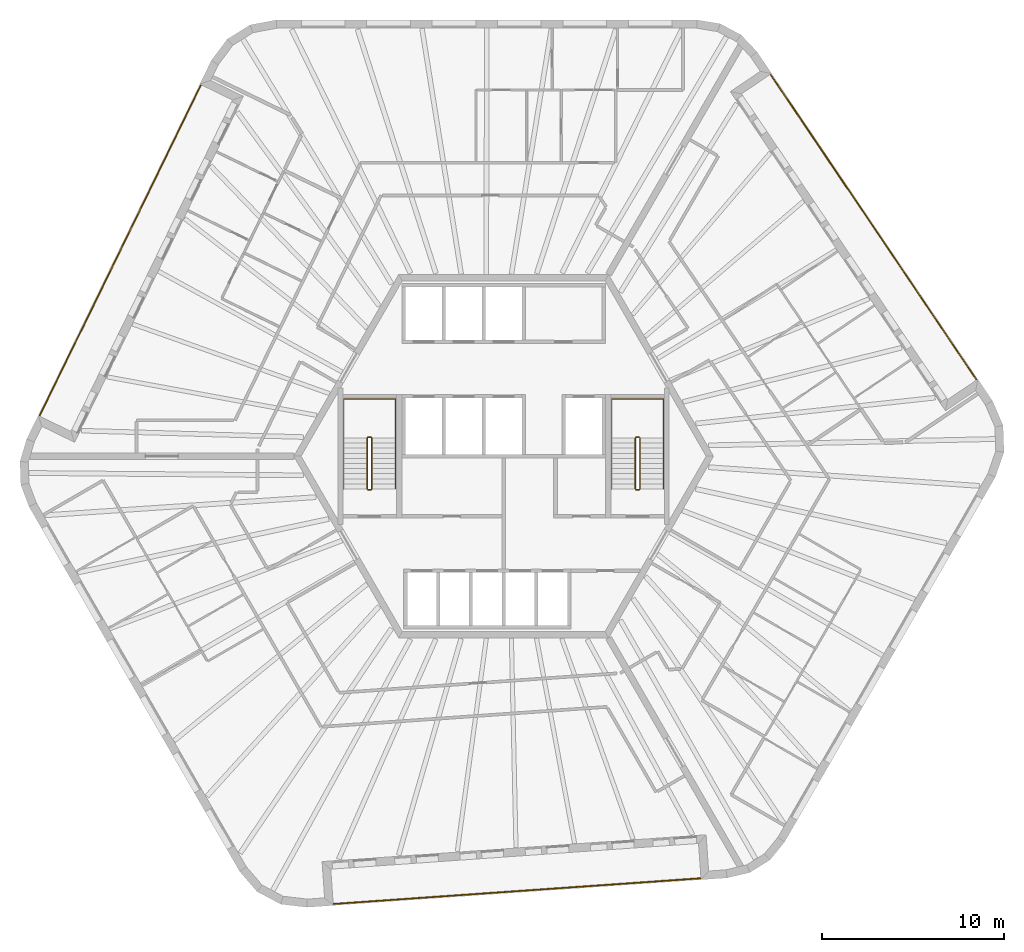
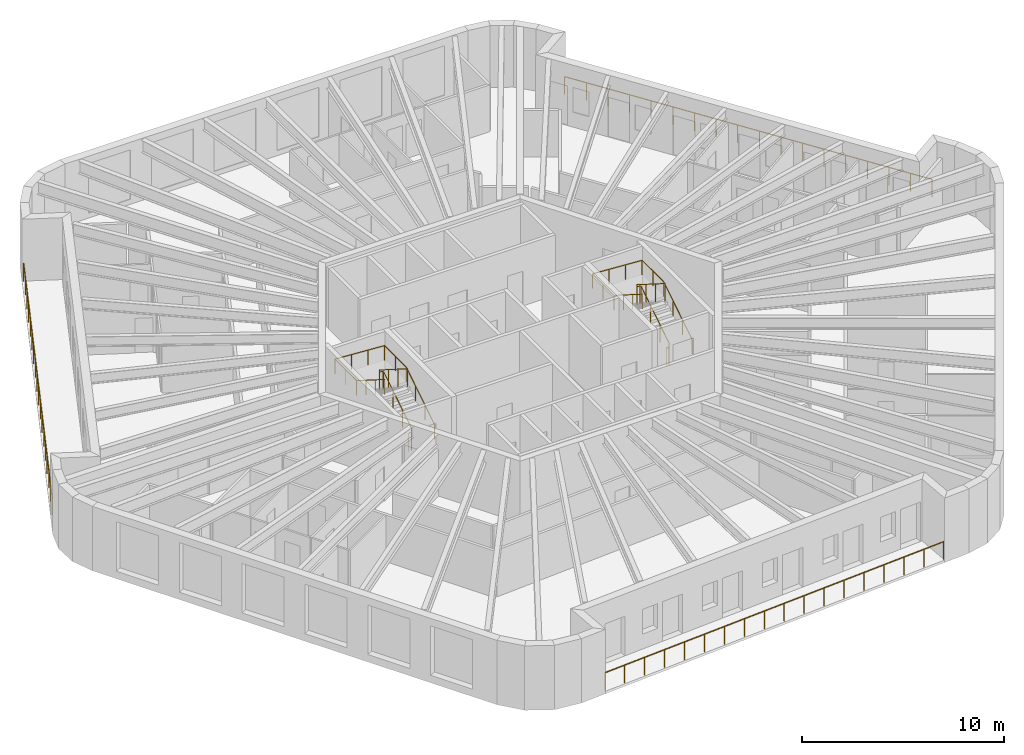
# One storey, part 11 of 11: 7 railings.
"""IFC4 building model written with IfcOpenShell, lengths in metres."""

from ifc_helpers import new_model, si_unit, direction, frame, origin, origin_2d, place, context, subcontext, project, spatial, circle, extrude, material, type_object, element, save


model = new_model("IFC4")

# Units and contexts
model_context = context("Model", 3, precision=1e-05, world=origin(), true_north=direction((0.0, 1.0)))
body_context = subcontext(model_context, "Body", "Model", "MODEL_VIEW")
ifc_project = project(units=[si_unit("LENGTHUNIT", "METRE"), si_unit("AREAUNIT", "SQUARE_METRE"), si_unit("VOLUMEUNIT", "CUBIC_METRE"), si_unit("PLANEANGLEUNIT", "RADIAN"), si_unit("MASSUNIT", "GRAM", prefix="KILO")], contexts=[model_context])

# Site, building, storey
site_placement = place(None, origin())
site = spatial("IfcSite", under=ifc_project, at=site_placement, CompositionType="ELEMENT")
building_placement = place(site_placement, origin())
building = spatial("IfcBuilding", under=site, at=building_placement, Name="Tarnside Tower", CompositionType="ELEMENT")
storey_placement = place(building_placement, frame((0.0, 0.0, 357.300048828125)))
storey = spatial("IfcBuildingStorey", under=building, at=storey_placement, Name="L86", CompositionType="ELEMENT", Elevation=357.300048828125)

# Railings
ifc_material_1 = material(Name="Toughened glass", Category="glass")
railing_type_1 = type_object("IfcRailingType", Name="Glass guard 1100", PredefinedType="GUARDRAIL", material=ifc_material_1)
railing_1_placement = place(storey_placement, frame((-16.645263671875, 20.437744140625, 0.0)))
element("IfcRailing", 1, at=railing_1_placement, inside=storey, type_object=railing_type_1, Name="Loggia guard L86 F2", PredefinedType="GUARDRAIL", context=body_context, shape_type="SweptSolid", body=[
    extrude(circle(Radius=0.030029296875, at=origin_2d()), frame((0.0, 0.0, 1.070068359375), z_axis=(-0.438370743641, -0.898794242928, 0.0), x_axis=(0.898794242928, -0.438370743641, 0.0)), (0.0, 0.0, 1.0), 20.28173828125),
    extrude(circle(Radius=0.02490234375, at=origin_2d()), origin(), (0.0, 0.0, 1.0), 1.0400390625),
    extrude(circle(Radius=0.02490234375, at=origin_2d()), frame((-0.52294921875, -1.072265625, 0.0)), (0.0, 0.0, 1.0), 1.0400390625),
    extrude(circle(Radius=0.02490234375, at=origin_2d()), frame((-1.0458984375, -2.14453125, 0.0)), (0.0, 0.0, 1.0), 1.0400390625),
    extrude(circle(Radius=0.02490234375, at=origin_2d()), frame((-1.569091796875, -3.216796875, 0.0)), (0.0, 0.0, 1.0), 1.0400390625),
    extrude(circle(Radius=0.02490234375, at=origin_2d()), frame((-2.092041015625, -4.2890625, 0.0)), (0.0, 0.0, 1.0), 1.0400390625),
    extrude(circle(Radius=0.02490234375, at=origin_2d()), frame((-2.614990234375, -5.361572265625, 0.0)), (0.0, 0.0, 1.0), 1.0400390625),
    extrude(circle(Radius=0.02490234375, at=origin_2d()), frame((-3.137939453125, -6.433837890625, 0.0)), (0.0, 0.0, 1.0), 1.0400390625),
    extrude(circle(Radius=0.02490234375, at=origin_2d()), frame((-3.660888671875, -7.506103515625, 0.0)), (0.0, 0.0, 1.0), 1.0400390625),
    extrude(circle(Radius=0.02490234375, at=origin_2d()), frame((-4.183837890625, -8.578369140625, 0.0)), (0.0, 0.0, 1.0), 1.0400390625),
    extrude(circle(Radius=0.02490234375, at=origin_2d()), frame((-4.70703125, -9.650634765625, 0.0)), (0.0, 0.0, 1.0), 1.0400390625),
    extrude(circle(Radius=0.02490234375, at=origin_2d()), frame((-5.22998046875, -10.722900390625, 0.0)), (0.0, 0.0, 1.0), 1.0400390625),
    extrude(circle(Radius=0.02490234375, at=origin_2d()), frame((-5.7529296875, -11.795166015625, 0.0)), (0.0, 0.0, 1.0), 1.0400390625),
    extrude(circle(Radius=0.02490234375, at=origin_2d()), frame((-6.27587890625, -12.867431640625, 0.0)), (0.0, 0.0, 1.0), 1.0400390625),
    extrude(circle(Radius=0.02490234375, at=origin_2d()), frame((-6.798828125, -13.93994140625, 0.0)), (0.0, 0.0, 1.0), 1.0400390625),
    extrude(circle(Radius=0.02490234375, at=origin_2d()), frame((-7.32177734375, -15.01220703125, 0.0)), (0.0, 0.0, 1.0), 1.0400390625),
    extrude(circle(Radius=0.02490234375, at=origin_2d()), frame((-7.844970703125, -16.08447265625, 0.0)), (0.0, 0.0, 1.0), 1.0400390625),
    extrude(circle(Radius=0.02490234375, at=origin_2d()), frame((-8.367919921875, -17.15673828125, 0.0)), (0.0, 0.0, 1.0), 1.0400390625),
    extrude(circle(Radius=0.02490234375, at=origin_2d()), frame((-8.890869140625, -18.22900390625, 0.0)), (0.0, 0.0, 1.0), 1.0400390625),
])
railing_2_placement = place(storey_placement, frame((-9.376953125, -24.634033203125, 0.0)))
element("IfcRailing", 2, at=railing_2_placement, inside=storey, type_object=railing_type_1, Name="Loggia guard L86 F4", PredefinedType="GUARDRAIL", context=body_context, shape_type="SweptSolid", body=[
    extrude(circle(Radius=0.030029296875, at=origin_2d()), frame((0.0, 0.0, 1.070068359375), z_axis=(0.997563970542, 0.069757613753, 0.0), x_axis=(-0.069757613753, 0.997563970542, 0.0)), (0.0, 0.0, 1.0), 20.281494140625),
    extrude(circle(Radius=0.02490234375, at=origin_2d()), origin(), (0.0, 0.0, 1.0), 1.0400390625),
    extrude(circle(Radius=0.02490234375, at=origin_2d()), frame((1.190185546875, 0.083251953125, 0.0)), (0.0, 0.0, 1.0), 1.0400390625),
    extrude(circle(Radius=0.02490234375, at=origin_2d()), frame((2.38037109375, 0.16650390625, 0.0)), (0.0, 0.0, 1.0), 1.0400390625),
    extrude(circle(Radius=0.02490234375, at=origin_2d()), frame((3.5703125, 0.249755859375, 0.0)), (0.0, 0.0, 1.0), 1.0400390625),
    extrude(circle(Radius=0.02490234375, at=origin_2d()), frame((4.760498046875, 0.3330078125, 0.0)), (0.0, 0.0, 1.0), 1.0400390625),
    extrude(circle(Radius=0.02490234375, at=origin_2d()), frame((5.95068359375, 0.416015625, 0.0)), (0.0, 0.0, 1.0), 1.0400390625),
    extrude(circle(Radius=0.02490234375, at=origin_2d()), frame((7.140869140625, 0.499267578125, 0.0)), (0.0, 0.0, 1.0), 1.0400390625),
    extrude(circle(Radius=0.02490234375, at=origin_2d()), frame((8.330810546875, 0.58251953125, 0.0)), (0.0, 0.0, 1.0), 1.0400390625),
    extrude(circle(Radius=0.02490234375, at=origin_2d()), frame((9.52099609375, 0.665771484375, 0.0)), (0.0, 0.0, 1.0), 1.0400390625),
    extrude(circle(Radius=0.02490234375, at=origin_2d()), frame((10.711181640625, 0.7490234375, 0.0)), (0.0, 0.0, 1.0), 1.0400390625),
    extrude(circle(Radius=0.02490234375, at=origin_2d()), frame((11.9013671875, 0.832275390625, 0.0)), (0.0, 0.0, 1.0), 1.0400390625),
    extrude(circle(Radius=0.02490234375, at=origin_2d()), frame((13.09130859375, 0.91552734375, 0.0)), (0.0, 0.0, 1.0), 1.0400390625),
    extrude(circle(Radius=0.02490234375, at=origin_2d()), frame((14.281494140625, 0.998779296875, 0.0)), (0.0, 0.0, 1.0), 1.0400390625),
    extrude(circle(Radius=0.02490234375, at=origin_2d()), frame((15.4716796875, 1.081787109375, 0.0)), (0.0, 0.0, 1.0), 1.0400390625),
    extrude(circle(Radius=0.02490234375, at=origin_2d()), frame((16.661865234375, 1.1650390625, 0.0)), (0.0, 0.0, 1.0), 1.0400390625),
    extrude(circle(Radius=0.02490234375, at=origin_2d()), frame((17.851806640625, 1.248291015625, 0.0)), (0.0, 0.0, 1.0), 1.0400390625),
    extrude(circle(Radius=0.02490234375, at=origin_2d()), frame((19.0419921875, 1.33154296875, 0.0)), (0.0, 0.0, 1.0), 1.0400390625),
    extrude(circle(Radius=0.02490234375, at=origin_2d()), frame((20.232177734375, 1.414794921875, 0.0)), (0.0, 0.0, 1.0), 1.0400390625),
])
railing_3_placement = place(storey_placement, frame((26.022216796875, 4.196533203125, 0.0)))
element("IfcRailing", 3, at=railing_3_placement, inside=storey, type_object=railing_type_1, Name="Loggia guard L86 F6", PredefinedType="GUARDRAIL", context=body_context, shape_type="SweptSolid", body=[
    extrude(circle(Radius=0.030029296875, at=origin_2d()), frame((0.0, 0.0, 1.070068359375), z_axis=(-0.559192274164, 0.829037997028, 0.0), x_axis=(-0.829037997028, -0.559192274164, 0.0)), (0.0, 0.0, 1.0), 20.281494140625),
    extrude(circle(Radius=0.02490234375, at=origin_2d()), origin(), (0.0, 0.0, 1.0), 1.0400390625),
    extrude(circle(Radius=0.02490234375, at=origin_2d()), frame((-0.667236328125, 0.989013671875, 0.0)), (0.0, 0.0, 1.0), 1.0400390625),
    extrude(circle(Radius=0.02490234375, at=origin_2d()), frame((-1.334228515625, 1.97802734375, 0.0)), (0.0, 0.0, 1.0), 1.0400390625),
    extrude(circle(Radius=0.02490234375, at=origin_2d()), frame((-2.00146484375, 2.96728515625, 0.0)), (0.0, 0.0, 1.0), 1.0400390625),
    extrude(circle(Radius=0.02490234375, at=origin_2d()), frame((-2.66845703125, 3.956298828125, 0.0)), (0.0, 0.0, 1.0), 1.0400390625),
    extrude(circle(Radius=0.02490234375, at=origin_2d()), frame((-3.335693359375, 4.9453125, 0.0)), (0.0, 0.0, 1.0), 1.0400390625),
    extrude(circle(Radius=0.02490234375, at=origin_2d()), frame((-4.0029296875, 5.934326171875, 0.0)), (0.0, 0.0, 1.0), 1.0400390625),
    extrude(circle(Radius=0.02490234375, at=origin_2d()), frame((-4.669921875, 6.923583984375, 0.0)), (0.0, 0.0, 1.0), 1.0400390625),
    extrude(circle(Radius=0.02490234375, at=origin_2d()), frame((-5.337158203125, 7.91259765625, 0.0)), (0.0, 0.0, 1.0), 1.0400390625),
    extrude(circle(Radius=0.02490234375, at=origin_2d()), frame((-6.004150390625, 8.901611328125, 0.0)), (0.0, 0.0, 1.0), 1.0400390625),
    extrude(circle(Radius=0.02490234375, at=origin_2d()), frame((-6.67138671875, 9.890625, 0.0)), (0.0, 0.0, 1.0), 1.0400390625),
    extrude(circle(Radius=0.02490234375, at=origin_2d()), frame((-7.33837890625, 10.8798828125, 0.0)), (0.0, 0.0, 1.0), 1.0400390625),
    extrude(circle(Radius=0.02490234375, at=origin_2d()), frame((-8.005615234375, 11.868896484375, 0.0)), (0.0, 0.0, 1.0), 1.0400390625),
    extrude(circle(Radius=0.02490234375, at=origin_2d()), frame((-8.6728515625, 12.85791015625, 0.0)), (0.0, 0.0, 1.0), 1.0400390625),
    extrude(circle(Radius=0.02490234375, at=origin_2d()), frame((-9.33984375, 13.846923828125, 0.0)), (0.0, 0.0, 1.0), 1.0400390625),
    extrude(circle(Radius=0.02490234375, at=origin_2d()), frame((-10.007080078125, 14.836181640625, 0.0)), (0.0, 0.0, 1.0), 1.0400390625),
    extrude(circle(Radius=0.02490234375, at=origin_2d()), frame((-10.674072265625, 15.8251953125, 0.0)), (0.0, 0.0, 1.0), 1.0400390625),
    extrude(circle(Radius=0.02490234375, at=origin_2d()), frame((-11.34130859375, 16.814208984375, 0.0)), (0.0, 0.0, 1.0), 1.0400390625),
])
ifc_material_2 = material(Name="Stainless steel", Category="steel")
railing_type_2 = type_object("IfcRailingType", Name="Stair guard 1100", PredefinedType="GUARDRAIL", material=ifc_material_2)
railing_4_placement = place(storey_placement, frame((7.300048828125, -1.85009765625, 0.0)))
element("IfcRailing", 4, at=railing_4_placement, inside=storey, type_object=railing_type_2, Name="L86 ST1 stair guard 1", PredefinedType="GUARDRAIL", context=body_context, shape_type="SweptSolid", body=[
    extrude(circle(Radius=0.02392578125, at=origin_2d()), frame((0.0, 0.0, 1.076171875), z_axis=(1.0, 0.0, 0.0), x_axis=(0.0, 1.0, 0.0)), (0.0, 0.0, 1.0), 0.14990234375),
    extrude(circle(Radius=0.02392578125, at=origin_2d()), frame((0.14990234375, 0.0, 1.076171875), z_axis=(0.262233686654, 0.262233686654, 0.928691007369), x_axis=(-0.707106781187, 0.707106781187, 0.0)), (0.0, 0.0, 1.0), 0.19091796875),
    extrude(circle(Radius=0.02392578125, at=origin_2d()), frame((0.199951171875, 0.050048828125, 1.25341796875), z_axis=(0.0, 0.844908973607, 0.534910110503), x_axis=(-1.0, 0.0, 0.0)), (0.0, 0.0, 1.0), 3.31396484375),
    extrude(circle(Radius=0.02392578125, at=origin_2d()), frame((0.199951171875, 2.85009765625, 3.02587890625), z_axis=(-0.707106781187, 0.707106781187, 0.0), x_axis=(-0.707106781187, -0.707106781187, 0.0)), (0.0, 0.0, 1.0), 0.07080078125),
    extrude(circle(Radius=0.02392578125, at=origin_2d()), frame((0.14990234375, 2.900146484375, 3.02587890625), z_axis=(-1.0, 0.0, 0.0), x_axis=(0.0, -1.0, 0.0)), (0.0, 0.0, 1.0), 0.14990234375),
    extrude(circle(Radius=0.02392578125, at=origin_2d()), frame((0.0, 2.900146484375, 3.02587890625), z_axis=(-0.262233686654, -0.262233686654, 0.928691007369), x_axis=(0.707106781187, -0.707106781187, 0.0)), (0.0, 0.0, 1.0), 0.19091796875),
    extrude(circle(Radius=0.02392578125, at=origin_2d()), frame((-0.050048828125, 2.85009765625, 3.203125), z_axis=(0.0, -0.844908973607, 0.534910110503), x_axis=(1.0, 0.0, 0.0)), (0.0, 0.0, 1.0), 3.31396484375),
    extrude(circle(Radius=0.02099609375, at=origin_2d()), origin(), (0.0, 0.0, 1.0), 1.052001953125),
    extrude(circle(Radius=0.02099609375, at=origin_2d()), frame((0.14990234375, 0.0, 0.0)), (0.0, 0.0, 1.0), 1.052001953125),
    extrude(circle(Radius=0.02099609375, at=origin_2d()), frame((0.199951171875, 0.050048828125, 0.17724609375)), (0.0, 0.0, 1.0), 1.052001953125),
    extrude(circle(Radius=0.02099609375, at=origin_2d()), frame((0.199951171875, 0.9833984375, 0.76806640625)), (0.0, 0.0, 1.0), 1.052001953125),
    extrude(circle(Radius=0.02099609375, at=origin_2d()), frame((0.199951171875, 1.916748046875, 1.359130859375)), (0.0, 0.0, 1.0), 1.052001953125),
    extrude(circle(Radius=0.02099609375, at=origin_2d()), frame((0.199951171875, 2.85009765625, 1.949951171875)), (0.0, 0.0, 1.0), 1.052001953125),
    extrude(circle(Radius=0.02099609375, at=origin_2d()), frame((0.14990234375, 2.900146484375, 1.949951171875)), (0.0, 0.0, 1.0), 1.052001953125),
    extrude(circle(Radius=0.02099609375, at=origin_2d()), frame((0.0, 2.900146484375, 1.949951171875)), (0.0, 0.0, 1.0), 1.052001953125),
    extrude(circle(Radius=0.02099609375, at=origin_2d()), frame((-0.050048828125, 2.85009765625, 2.127197265625)), (0.0, 0.0, 1.0), 1.052001953125),
    extrude(circle(Radius=0.02099609375, at=origin_2d()), frame((-0.050048828125, 1.916748046875, 2.718017578125)), (0.0, 0.0, 1.0), 1.052001953125),
    extrude(circle(Radius=0.02099609375, at=origin_2d()), frame((-0.050048828125, 0.9833984375, 3.30908203125)), (0.0, 0.0, 1.0), 1.052001953125),
    extrude(circle(Radius=0.02099609375, at=origin_2d()), frame((-0.050048828125, 0.050048828125, 3.89990234375)), (0.0, 0.0, 1.0), 1.052001953125),
])
railing_5_placement = place(storey_placement, frame((-7.449951171875, -1.85009765625, 0.0)))
element("IfcRailing", 5, at=railing_5_placement, inside=storey, type_object=railing_type_2, Name="L86 ST2 stair guard 1", PredefinedType="GUARDRAIL", context=body_context, shape_type="SweptSolid", body=[
    extrude(circle(Radius=0.02392578125, at=origin_2d()), frame((0.0, 0.0, 1.076171875), z_axis=(1.0, 0.0, 0.0), x_axis=(0.0, 1.0, 0.0)), (0.0, 0.0, 1.0), 0.14990234375),
    extrude(circle(Radius=0.02392578125, at=origin_2d()), frame((0.14990234375, 0.0, 1.076171875), z_axis=(0.262233686654, 0.262233686654, 0.928691007369), x_axis=(-0.707106781187, 0.707106781187, 0.0)), (0.0, 0.0, 1.0), 0.19091796875),
    extrude(circle(Radius=0.02392578125, at=origin_2d()), frame((0.199951171875, 0.050048828125, 1.25341796875), z_axis=(0.0, 0.844908973607, 0.534910110503), x_axis=(-1.0, 0.0, 0.0)), (0.0, 0.0, 1.0), 3.31396484375),
    extrude(circle(Radius=0.02392578125, at=origin_2d()), frame((0.199951171875, 2.85009765625, 3.02587890625), z_axis=(-0.707106781187, 0.707106781187, 0.0), x_axis=(-0.707106781187, -0.707106781187, 0.0)), (0.0, 0.0, 1.0), 0.07080078125),
    extrude(circle(Radius=0.02392578125, at=origin_2d()), frame((0.14990234375, 2.900146484375, 3.02587890625), z_axis=(-1.0, 0.0, 0.0), x_axis=(0.0, -1.0, 0.0)), (0.0, 0.0, 1.0), 0.14990234375),
    extrude(circle(Radius=0.02392578125, at=origin_2d()), frame((0.0, 2.900146484375, 3.02587890625), z_axis=(-0.262233686654, -0.262233686654, 0.928691007369), x_axis=(0.707106781187, -0.707106781187, 0.0)), (0.0, 0.0, 1.0), 0.19091796875),
    extrude(circle(Radius=0.02392578125, at=origin_2d()), frame((-0.050048828125, 2.85009765625, 3.203125), z_axis=(0.0, -0.844908973607, 0.534910110503), x_axis=(1.0, 0.0, 0.0)), (0.0, 0.0, 1.0), 3.31396484375),
    extrude(circle(Radius=0.02099609375, at=origin_2d()), origin(), (0.0, 0.0, 1.0), 1.052001953125),
    extrude(circle(Radius=0.02099609375, at=origin_2d()), frame((0.14990234375, 0.0, 0.0)), (0.0, 0.0, 1.0), 1.052001953125),
    extrude(circle(Radius=0.02099609375, at=origin_2d()), frame((0.199951171875, 0.050048828125, 0.17724609375)), (0.0, 0.0, 1.0), 1.052001953125),
    extrude(circle(Radius=0.02099609375, at=origin_2d()), frame((0.199951171875, 0.9833984375, 0.76806640625)), (0.0, 0.0, 1.0), 1.052001953125),
    extrude(circle(Radius=0.02099609375, at=origin_2d()), frame((0.199951171875, 1.916748046875, 1.359130859375)), (0.0, 0.0, 1.0), 1.052001953125),
    extrude(circle(Radius=0.02099609375, at=origin_2d()), frame((0.199951171875, 2.85009765625, 1.949951171875)), (0.0, 0.0, 1.0), 1.052001953125),
    extrude(circle(Radius=0.02099609375, at=origin_2d()), frame((0.14990234375, 2.900146484375, 1.949951171875)), (0.0, 0.0, 1.0), 1.052001953125),
    extrude(circle(Radius=0.02099609375, at=origin_2d()), frame((0.0, 2.900146484375, 1.949951171875)), (0.0, 0.0, 1.0), 1.052001953125),
    extrude(circle(Radius=0.02099609375, at=origin_2d()), frame((-0.050048828125, 2.85009765625, 2.127197265625)), (0.0, 0.0, 1.0), 1.052001953125),
    extrude(circle(Radius=0.02099609375, at=origin_2d()), frame((-0.050048828125, 1.916748046875, 2.718017578125)), (0.0, 0.0, 1.0), 1.052001953125),
    extrude(circle(Radius=0.02099609375, at=origin_2d()), frame((-0.050048828125, 0.9833984375, 3.30908203125)), (0.0, 0.0, 1.0), 1.052001953125),
    extrude(circle(Radius=0.02099609375, at=origin_2d()), frame((-0.050048828125, 0.050048828125, 3.89990234375)), (0.0, 0.0, 1.0), 1.052001953125),
])
railing_type_3 = type_object("IfcRailingType", Name="Stair handrail 900", PredefinedType="HANDRAIL", material=ifc_material_2)
railing_6_placement = place(storey_placement, frame((8.800048828125, -1.800048828125, 0.17724609375)))
element("IfcRailing", 6, at=railing_6_placement, inside=storey, type_object=railing_type_3, Name="L86 ST1 stair handrail 1", PredefinedType="HANDRAIL", context=body_context, shape_type="SweptSolid", body=[
    extrude(circle(Radius=0.02392578125, at=origin_2d()), frame((0.0, 0.0, 0.8857421875), z_axis=(0.0, 0.844908973607, 0.534910110503), x_axis=(-1.0, 0.0, 0.0)), (0.0, 0.0, 1.0), 3.31396484375),
    extrude(circle(Radius=0.02392578125, at=origin_2d()), frame((0.0, 2.800048828125, 2.65869140625), z_axis=(0.0, 1.0, 0.0), x_axis=(-1.0, 0.0, 0.0)), (0.0, 0.0, 1.0), 2.14990234375),
    extrude(circle(Radius=0.02392578125, at=origin_2d()), frame((0.0, 4.949951171875, 2.65869140625), z_axis=(-0.998071825391, 0.0, 0.06206956872), x_axis=(0.0, -1.0, 0.0)), (0.0, 0.0, 1.0), 2.855712890625),
    extrude(circle(Radius=0.02392578125, at=origin_2d()), frame((-2.85009765625, 4.949951171875, 2.8359375), z_axis=(0.0, -1.0, 0.0), x_axis=(1.0, 0.0, 0.0)), (0.0, 0.0, 1.0), 2.14990234375),
    extrude(circle(Radius=0.02392578125, at=origin_2d()), frame((-2.85009765625, 2.800048828125, 2.8359375), z_axis=(0.0, -0.844908973607, 0.534910110503), x_axis=(1.0, 0.0, 0.0)), (0.0, 0.0, 1.0), 3.31396484375),
    extrude(circle(Radius=0.02099609375, at=origin_2d()), origin(), (0.0, 0.0, 1.0), 0.86181640625),
    extrude(circle(Radius=0.02099609375, at=origin_2d()), frame((0.0, 0.933349609375, 0.5908203125)), (0.0, 0.0, 1.0), 0.86181640625),
    extrude(circle(Radius=0.02099609375, at=origin_2d()), frame((0.0, 1.86669921875, 1.181884765625)), (0.0, 0.0, 1.0), 0.86181640625),
    extrude(circle(Radius=0.02099609375, at=origin_2d()), frame((0.0, 2.800048828125, 1.772705078125)), (0.0, 0.0, 1.0), 0.86181640625),
    extrude(circle(Radius=0.02099609375, at=origin_2d()), frame((0.0, 3.875, 1.772705078125)), (0.0, 0.0, 1.0), 0.86181640625),
    extrude(circle(Radius=0.02099609375, at=origin_2d()), frame((0.0, 4.949951171875, 1.772705078125)), (0.0, 0.0, 1.0), 0.86181640625),
    extrude(circle(Radius=0.02099609375, at=origin_2d()), frame((-0.949951171875, 4.949951171875, 1.831787109375)), (0.0, 0.0, 1.0), 0.86181640625),
    extrude(circle(Radius=0.02099609375, at=origin_2d()), frame((-1.900146484375, 4.949951171875, 1.890869140625)), (0.0, 0.0, 1.0), 0.86181640625),
    extrude(circle(Radius=0.02099609375, at=origin_2d()), frame((-2.85009765625, 4.949951171875, 1.949951171875)), (0.0, 0.0, 1.0), 0.86181640625),
    extrude(circle(Radius=0.02099609375, at=origin_2d()), frame((-2.85009765625, 3.875, 1.949951171875)), (0.0, 0.0, 1.0), 0.86181640625),
    extrude(circle(Radius=0.02099609375, at=origin_2d()), frame((-2.85009765625, 2.800048828125, 1.949951171875)), (0.0, 0.0, 1.0), 0.86181640625),
    extrude(circle(Radius=0.02099609375, at=origin_2d()), frame((-2.85009765625, 1.86669921875, 2.540771484375)), (0.0, 0.0, 1.0), 0.86181640625),
    extrude(circle(Radius=0.02099609375, at=origin_2d()), frame((-2.85009765625, 0.933349609375, 3.1318359375)), (0.0, 0.0, 1.0), 0.86181640625),
    extrude(circle(Radius=0.02099609375, at=origin_2d()), frame((-2.85009765625, 0.0, 3.72265625)), (0.0, 0.0, 1.0), 0.86181640625),
])
railing_7_placement = place(storey_placement, frame((-5.949951171875, -1.800048828125, 0.17724609375)))
element("IfcRailing", 7, at=railing_7_placement, inside=storey, type_object=railing_type_3, Name="L86 ST2 stair handrail 1", PredefinedType="HANDRAIL", context=body_context, shape_type="SweptSolid", body=[
    extrude(circle(Radius=0.02392578125, at=origin_2d()), frame((0.0, 0.0, 0.8857421875), z_axis=(0.0, 0.844908973607, 0.534910110503), x_axis=(-1.0, 0.0, 0.0)), (0.0, 0.0, 1.0), 3.31396484375),
    extrude(circle(Radius=0.02392578125, at=origin_2d()), frame((0.0, 2.800048828125, 2.65869140625), z_axis=(0.0, 1.0, 0.0), x_axis=(-1.0, 0.0, 0.0)), (0.0, 0.0, 1.0), 2.14990234375),
    extrude(circle(Radius=0.02392578125, at=origin_2d()), frame((0.0, 4.949951171875, 2.65869140625), z_axis=(-0.998071825391, 0.0, 0.06206956872), x_axis=(0.0, -1.0, 0.0)), (0.0, 0.0, 1.0), 2.855712890625),
    extrude(circle(Radius=0.02392578125, at=origin_2d()), frame((-2.85009765625, 4.949951171875, 2.8359375), z_axis=(0.0, -1.0, 0.0), x_axis=(1.0, 0.0, 0.0)), (0.0, 0.0, 1.0), 2.14990234375),
    extrude(circle(Radius=0.02392578125, at=origin_2d()), frame((-2.85009765625, 2.800048828125, 2.8359375), z_axis=(0.0, -0.844908973607, 0.534910110503), x_axis=(1.0, 0.0, 0.0)), (0.0, 0.0, 1.0), 3.31396484375),
    extrude(circle(Radius=0.02099609375, at=origin_2d()), origin(), (0.0, 0.0, 1.0), 0.86181640625),
    extrude(circle(Radius=0.02099609375, at=origin_2d()), frame((0.0, 0.933349609375, 0.5908203125)), (0.0, 0.0, 1.0), 0.86181640625),
    extrude(circle(Radius=0.02099609375, at=origin_2d()), frame((0.0, 1.86669921875, 1.181884765625)), (0.0, 0.0, 1.0), 0.86181640625),
    extrude(circle(Radius=0.02099609375, at=origin_2d()), frame((0.0, 2.800048828125, 1.772705078125)), (0.0, 0.0, 1.0), 0.86181640625),
    extrude(circle(Radius=0.02099609375, at=origin_2d()), frame((0.0, 3.875, 1.772705078125)), (0.0, 0.0, 1.0), 0.86181640625),
    extrude(circle(Radius=0.02099609375, at=origin_2d()), frame((0.0, 4.949951171875, 1.772705078125)), (0.0, 0.0, 1.0), 0.86181640625),
    extrude(circle(Radius=0.02099609375, at=origin_2d()), frame((-0.949951171875, 4.949951171875, 1.831787109375)), (0.0, 0.0, 1.0), 0.86181640625),
    extrude(circle(Radius=0.02099609375, at=origin_2d()), frame((-1.900146484375, 4.949951171875, 1.890869140625)), (0.0, 0.0, 1.0), 0.86181640625),
    extrude(circle(Radius=0.02099609375, at=origin_2d()), frame((-2.85009765625, 4.949951171875, 1.949951171875)), (0.0, 0.0, 1.0), 0.86181640625),
    extrude(circle(Radius=0.02099609375, at=origin_2d()), frame((-2.85009765625, 3.875, 1.949951171875)), (0.0, 0.0, 1.0), 0.86181640625),
    extrude(circle(Radius=0.02099609375, at=origin_2d()), frame((-2.85009765625, 2.800048828125, 1.949951171875)), (0.0, 0.0, 1.0), 0.86181640625),
    extrude(circle(Radius=0.02099609375, at=origin_2d()), frame((-2.85009765625, 1.86669921875, 2.540771484375)), (0.0, 0.0, 1.0), 0.86181640625),
    extrude(circle(Radius=0.02099609375, at=origin_2d()), frame((-2.85009765625, 0.933349609375, 3.1318359375)), (0.0, 0.0, 1.0), 0.86181640625),
    extrude(circle(Radius=0.02099609375, at=origin_2d()), frame((-2.85009765625, 0.0, 3.72265625)), (0.0, 0.0, 1.0), 0.86181640625),
])

save(model, "model.ifc")
